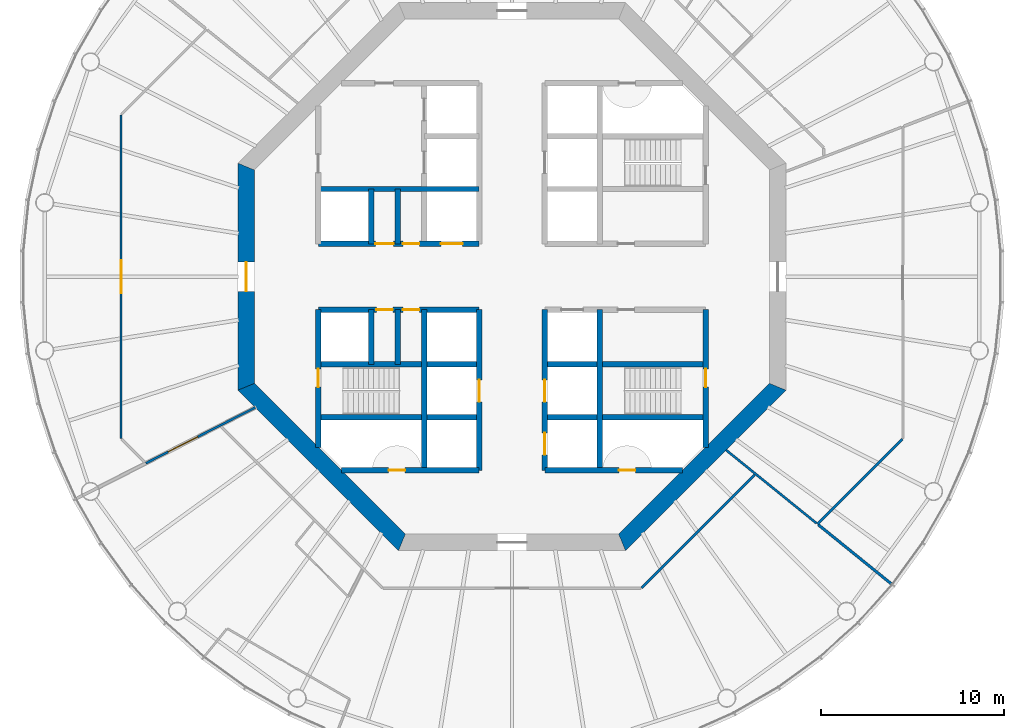
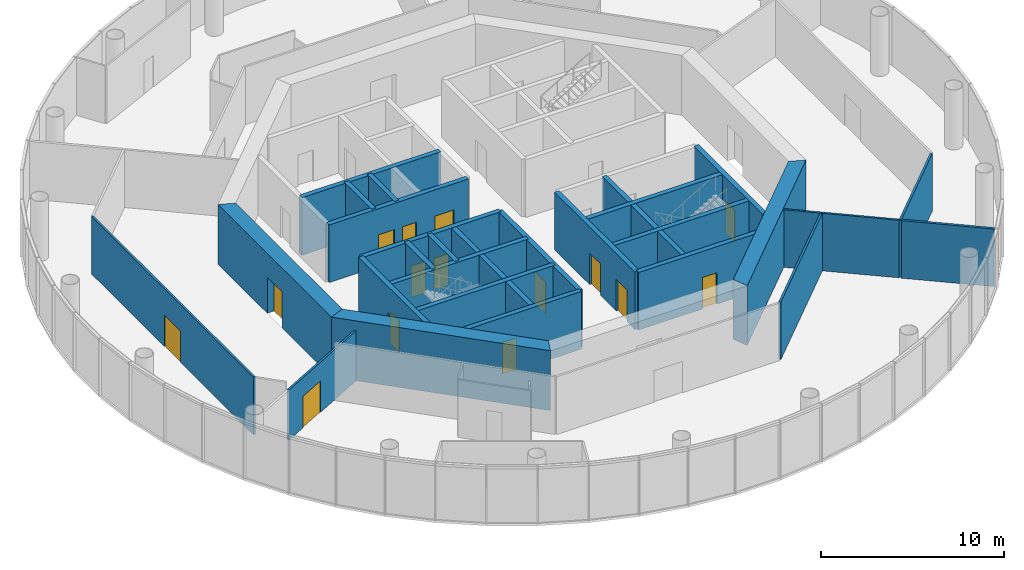
# One storey, part 3 of 12: 28 walls, 15 doors, 15 openings.
"""IFC4 building model written with IfcOpenShell, lengths in metres."""

from ifc_helpers import new_model, si_unit, direction, frame, frame_2d, origin, place, context, subcontext, project, spatial, polyline, rectangle, outline, extrude, material, layer, layer_set, type_object, element, fill, save


model = new_model("IFC4")

# Units and contexts
model_context = context("Model", 3, precision=1e-05, world=origin(), true_north=direction((0.0, 1.0)))
body_context = subcontext(model_context, "Body", "Model", "MODEL_VIEW")
ifc_project = project(units=[si_unit("LENGTHUNIT", "METRE"), si_unit("AREAUNIT", "SQUARE_METRE"), si_unit("VOLUMEUNIT", "CUBIC_METRE"), si_unit("PLANEANGLEUNIT", "RADIAN"), si_unit("MASSUNIT", "GRAM", prefix="KILO")], contexts=[model_context])

# Site, building, storey
site_placement = place(None, origin())
site = spatial("IfcSite", under=ifc_project, at=site_placement, CompositionType="ELEMENT")
building_placement = place(site_placement, origin())
building = spatial("IfcBuilding", under=site, at=building_placement, Name="Entoto Ring Tower", CompositionType="ELEMENT")
storey_placement = place(building_placement, frame((0.0, 0.0, 210.0)))
storey = spatial("IfcBuildingStorey", under=building, at=storey_placement, Name="L48", CompositionType="ELEMENT", Elevation=210.0)

# Wall, opening, door
ifc_material_1 = material(Name="Concrete C40/50", Category="concrete")
ifc_layer_1 = layer(ifc_material_1, 0.300048828125)
ifc_layer_set_1 = layer_set([ifc_layer_1], Name="Concrete C40/50")
wall_type_1 = type_object("IfcWallType", Name="Core enclosure wall 300 mm reinforced concrete", PredefinedType="SOLIDWALL", material=ifc_layer_set_1)
wall_1_placement = place(storey_placement, frame((100.60009765625, 70.65966796875, 0.0), z_axis=(0.0, 0.0, 1.0), x_axis=(0.0, 1.0, 0.0)))
wall_1 = element("IfcWall", 1, at=wall_1_placement, inside=storey, type_object=wall_type_1, Name="wall-L48-001", PredefinedType="SOLIDWALL", context=body_context, shape_type="SweptSolid", body=[
    extrude(rectangle(XDim=7.540283203125, YDim=0.300048828125, at=frame_2d((3.77001953125, 0.0))), origin(), (0.0, 0.0, 1.0), 3.85009765625),
])
opening_1_placement = place(wall_1_placement, frame((3.290283203125, 0.0, 0.0)))
opening_1 = element("IfcOpeningElement", 2, at=opening_1_placement, cuts=wall_1, Name="Opening K-61", PredefinedType="OPENING", context=body_context, shape_type="SweptSolid", body=[
    extrude(rectangle(XDim=1.0, YDim=2.10009765625, at=frame_2d((0.5, 1.050048828125))), frame((0.0, 0.16015625, 0.0), z_axis=(0.0, -1.0, 0.0), x_axis=(1.0, 0.0, 0.0)), (0.0, 0.0, 1.0), 0.320068359375),
])
ifc_material_2 = material(Name="Steel door leaf, fire rated", Category="steel")
ifc_layer_2 = layer(ifc_material_2, 0.050048828125)
ifc_layer_set_2 = layer_set([ifc_layer_2], Name="Steel door leaf, fire rated")
door_type_1 = type_object("IfcDoorType", Name="Fire door FD60 1000 x 2100 single leaf", OperationType="NOTDEFINED", PredefinedType="DOOR", material=ifc_layer_set_2)
door_1_placement = place(opening_1_placement, origin())
door_1 = element("IfcDoor", 3, at=door_1_placement, inside=storey, type_object=door_type_1, Name="Door K-61", OperationType="SINGLE_SWING_RIGHT", OverallHeight=2.10009765625, OverallWidth=1.0, PredefinedType="DOOR", context=body_context, shape_type="SweptSolid", body=[
    extrude(rectangle(XDim=1.0, YDim=2.10009765625, at=frame_2d((0.5, 1.050048828125))), frame((0.0, 0.02490234375, 0.0), z_axis=(0.0, -1.0, 0.0), x_axis=(1.0, 0.0, 0.0)), (0.0, 0.0, 1.0), 0.050048828125),
])
fill(opening_1, door_1)

# Wall
wall_2_placement = place(storey_placement, frame((94.800048828125, 69.39990234375, 0.0), z_axis=(0.0, 0.0, 1.0), x_axis=(0.0, 1.0, 0.0)))
element("IfcWall", 4, at=wall_2_placement, inside=storey, type_object=wall_type_1, Name="wall-L48-003", PredefinedType="SOLIDWALL", context=body_context, shape_type="SweptSolid", body=[
    extrude(rectangle(XDim=8.800048828125, YDim=0.300048828125, at=frame_2d((4.39990234375, 0.0))), origin(), (0.0, 0.0, 1.0), 3.85009765625),
])

# Wall, openings, doors
wall_3_placement = place(storey_placement, frame((91.800048828125, 69.39990234375, 0.0), z_axis=(0.0, 0.0, 1.0), x_axis=(0.0, 1.0, 0.0)))
wall_3 = element("IfcWall", 5, at=wall_3_placement, inside=storey, type_object=wall_type_1, Name="wall-L48-005", PredefinedType="SOLIDWALL", context=body_context, shape_type="SweptSolid", body=[
    extrude(rectangle(XDim=8.800048828125, YDim=0.300048828125, at=frame_2d((4.39990234375, 0.0))), origin(), (0.0, 0.0, 1.0), 3.85009765625),
])
opening_2_placement = place(wall_3_placement, frame((3.75, 0.0, 0.0)))
opening_2 = element("IfcOpeningElement", 6, at=opening_2_placement, cuts=wall_3, Name="Opening LD", PredefinedType="OPENING", context=body_context, shape_type="SweptSolid", body=[
    extrude(rectangle(XDim=1.199951171875, YDim=2.10009765625, at=frame_2d((0.60009765625, 1.050048828125))), frame((0.0, 0.16015625, 0.0), z_axis=(0.0, -1.0, 0.0), x_axis=(1.0, 0.0, 0.0)), (0.0, 0.0, 1.0), 0.320068359375),
])
opening_3_placement = place(wall_3_placement, frame((0.85009765625, 0.0, 0.0)))
opening_3 = element("IfcOpeningElement", 7, at=opening_3_placement, cuts=wall_3, Name="Opening LD", PredefinedType="OPENING", context=body_context, shape_type="SweptSolid", body=[
    extrude(rectangle(XDim=1.199951171875, YDim=2.10009765625, at=frame_2d((0.60009765625, 1.050048828125))), frame((0.0, 0.16015625, 0.0), z_axis=(0.0, -1.0, 0.0), x_axis=(1.0, 0.0, 0.0)), (0.0, 0.0, 1.0), 0.320068359375),
])
ifc_material_3 = material(Name="Steel and glass door leaf", Category="steel")
ifc_layer_3 = layer(ifc_material_3, 0.050048828125)
ifc_layer_set_3 = layer_set([ifc_layer_3], Name="Steel and glass door leaf")
door_type_2 = type_object("IfcDoorType", Name="Landing door 1200 x 2100 sliding", OperationType="DOUBLE_DOOR_SLIDING", PredefinedType="DOOR", material=ifc_layer_set_3)
door_2_placement = place(opening_2_placement, origin())
door_2 = element("IfcDoor", 8, at=door_2_placement, inside=storey, type_object=door_type_2, Name="Landing door LB2-MR", OperationType="SLIDING_TO_RIGHT", OverallHeight=2.10009765625, OverallWidth=1.199951171875, PredefinedType="DOOR", context=body_context, shape_type="SweptSolid", body=[
    extrude(rectangle(XDim=1.199951171875, YDim=2.10009765625, at=frame_2d((0.60009765625, 1.050048828125))), frame((0.0, 0.02490234375, 0.0), z_axis=(0.0, -1.0, 0.0), x_axis=(1.0, 0.0, 0.0)), (0.0, 0.0, 1.0), 0.050048828125),
])
fill(opening_2, door_2)
door_3_placement = place(opening_3_placement, origin())
door_3 = element("IfcDoor", 9, at=door_3_placement, inside=storey, type_object=door_type_2, Name="Landing door LB3-MR", OperationType="SLIDING_TO_RIGHT", OverallHeight=2.10009765625, OverallWidth=1.199951171875, PredefinedType="DOOR", context=body_context, shape_type="SweptSolid", body=[
    extrude(rectangle(XDim=1.199951171875, YDim=2.10009765625, at=frame_2d((0.60009765625, 1.050048828125))), frame((0.0, 0.02490234375, 0.0), z_axis=(0.0, -1.0, 0.0), x_axis=(1.0, 0.0, 0.0)), (0.0, 0.0, 1.0), 0.050048828125),
])
fill(opening_3, door_3)

# Wall, opening, door
wall_4_placement = place(storey_placement, frame((88.199951171875, 69.39990234375, 0.0), z_axis=(0.0, 0.0, 1.0), x_axis=(0.0, 1.0, 0.0)))
wall_4 = element("IfcWall", 10, at=wall_4_placement, inside=storey, type_object=wall_type_1, Name="wall-L48-007", PredefinedType="SOLIDWALL", context=body_context, shape_type="SweptSolid", body=[
    extrude(rectangle(XDim=8.800048828125, YDim=0.300048828125, at=frame_2d((4.39990234375, 0.0))), origin(), (0.0, 0.0, 1.0), 3.85009765625),
])
opening_4_placement = place(wall_4_placement, frame((3.75, 0.0, 0.0)))
opening_4 = element("IfcOpeningElement", 11, at=opening_4_placement, cuts=wall_4, Name="Opening LD", PredefinedType="OPENING", context=body_context, shape_type="SweptSolid", body=[
    extrude(rectangle(XDim=1.199951171875, YDim=2.10009765625, at=frame_2d((0.60009765625, 1.050048828125))), frame((0.0, 0.16015625, 0.0), z_axis=(0.0, -1.0, 0.0), x_axis=(1.0, 0.0, 0.0)), (0.0, 0.0, 1.0), 0.320068359375),
])
door_4_placement = place(opening_4_placement, origin())
door_4 = element("IfcDoor", 12, at=door_4_placement, inside=storey, type_object=door_type_2, Name="Landing door LB4-MR", OperationType="SLIDING_TO_RIGHT", OverallHeight=2.10009765625, OverallWidth=1.199951171875, PredefinedType="DOOR", context=body_context, shape_type="SweptSolid", body=[
    extrude(rectangle(XDim=1.199951171875, YDim=2.10009765625, at=frame_2d((0.60009765625, 1.050048828125))), frame((0.0, 0.02490234375, 0.0), z_axis=(0.0, -1.0, 0.0), x_axis=(1.0, 0.0, 0.0)), (0.0, 0.0, 1.0), 0.050048828125),
])
fill(opening_4, door_4)

# Walls
wall_5_placement = place(storey_placement, frame((85.199951171875, 69.39990234375, 0.0), z_axis=(0.0, 0.0, 1.0), x_axis=(0.0, 1.0, 0.0)))
element("IfcWall", 13, at=wall_5_placement, inside=storey, type_object=wall_type_1, Name="wall-L48-009", PredefinedType="SOLIDWALL", context=body_context, shape_type="SweptSolid", body=[
    extrude(rectangle(XDim=8.800048828125, YDim=0.300048828125, at=frame_2d((4.39990234375, 0.0))), origin(), (0.0, 0.0, 1.0), 3.85009765625),
])
for number, where, z_axis, x_axis, name in (
    (14, (83.75, 75.199951171875, 0.0), (0.0, 0.0, 1.0), (0.0, 1.0, 0.0), "wall-L48-011"),
    (15, (83.75, 81.800048828125, 0.0), (0.0, 0.0, 1.0), (0.0, 1.0, 0.0), "wall-L48-012"),
    (16, (82.300048828125, 75.199951171875, 0.0), (0.0, 0.0, 1.0), (0.0, 1.0, 0.0), "wall-L48-013"),
    (17, (82.300048828125, 81.800048828125, 0.0), (0.0, 0.0, 1.0), (0.0, 1.0, 0.0), "wall-L48-014"),
):
    element("IfcWall", number, at=place(storey_placement, frame(where, z_axis=z_axis, x_axis=x_axis)), inside=storey, type_object=wall_type_1, Name=name, PredefinedType="SOLIDWALL", context=body_context, shape_type="SweptSolid", body=[
        extrude(rectangle(XDim=3.0, YDim=0.300048828125, at=frame_2d((1.5, 0.0))), origin(), (0.0, 0.0, 1.0), 3.85009765625),
    ])

# Wall, opening, door
wall_6_placement = place(storey_placement, frame((79.39990234375, 70.65966796875, 0.0), z_axis=(0.0, 0.0, 1.0), x_axis=(0.0, 1.0, 0.0)))
wall_6 = element("IfcWall", 18, at=wall_6_placement, inside=storey, type_object=wall_type_1, Name="wall-L48-015", PredefinedType="SOLIDWALL", context=body_context, shape_type="SweptSolid", body=[
    extrude(rectangle(XDim=7.540283203125, YDim=0.300048828125, at=frame_2d((3.77001953125, 0.0))), origin(), (0.0, 0.0, 1.0), 3.85009765625),
])
opening_5_placement = place(wall_6_placement, frame((3.290283203125, 0.0, 0.0)))
opening_5 = element("IfcOpeningElement", 19, at=opening_5_placement, cuts=wall_6, Name="Opening K-59", PredefinedType="OPENING", context=body_context, shape_type="SweptSolid", body=[
    extrude(rectangle(XDim=1.0, YDim=2.10009765625, at=frame_2d((0.5, 1.050048828125))), frame((0.0, 0.16015625, 0.0), z_axis=(0.0, -1.0, 0.0), x_axis=(1.0, 0.0, 0.0)), (0.0, 0.0, 1.0), 0.320068359375),
])
door_5_placement = place(opening_5_placement, frame((1.0, 0.0, 0.0), z_axis=(0.0, 0.0, 1.0), x_axis=(-1.0, 0.0, 0.0)))
door_5 = element("IfcDoor", 20, at=door_5_placement, inside=storey, type_object=door_type_1, Name="Door K-59", OperationType="SINGLE_SWING_LEFT", OverallHeight=2.10009765625, OverallWidth=1.0, PredefinedType="DOOR", context=body_context, shape_type="SweptSolid", body=[
    extrude(rectangle(XDim=1.0, YDim=2.10009765625, at=frame_2d((0.5, 1.050048828125))), frame((0.0, 0.02490234375, 0.0), z_axis=(0.0, -1.0, 0.0), x_axis=(1.0, 0.0, 0.0)), (0.0, 0.0, 1.0), 0.050048828125),
])
fill(opening_5, door_5)

wall_7_placement = place(storey_placement, frame((80.65966796875, 69.39990234375, 0.0), z_axis=(0.0, 0.0, 1.0), x_axis=(1.0, 0.0, 0.0)))
wall_7 = element("IfcWall", 21, at=wall_7_placement, inside=storey, type_object=wall_type_1, Name="wall-L48-017", PredefinedType="SOLIDWALL", context=body_context, shape_type="SweptSolid", body=[
    extrude(rectangle(XDim=7.540283203125, YDim=0.300048828125, at=frame_2d((3.77001953125, 0.0))), origin(), (0.0, 0.0, 1.0), 3.85009765625),
])
opening_6_placement = place(wall_7_placement, frame((2.59033203125, 0.0, 0.0)))
opening_6 = element("IfcOpeningElement", 22, at=opening_6_placement, cuts=wall_7, Name="Opening K-66", PredefinedType="OPENING", context=body_context, shape_type="SweptSolid", body=[
    extrude(rectangle(XDim=0.89990234375, YDim=2.10009765625, at=frame_2d((0.449951171875, 1.050048828125))), frame((0.0, 0.16015625, 0.0), z_axis=(0.0, -1.0, 0.0), x_axis=(1.0, 0.0, 0.0)), (0.0, 0.0, 1.0), 0.320068359375),
])
ifc_material_4 = material(Name="Steel door leaf, fire rated", Category="steel")
ifc_layer_4 = layer(ifc_material_4, 0.050048828125)
ifc_layer_set_4 = layer_set([ifc_layer_4], Name="Steel door leaf, fire rated")
door_type_3 = type_object("IfcDoorType", Name="Riser door FD60 900 x 2100 single leaf", OperationType="NOTDEFINED", PredefinedType="DOOR", material=ifc_layer_set_4)
door_6_placement = place(opening_6_placement, origin())
door_6 = element("IfcDoor", 23, at=door_6_placement, inside=storey, type_object=door_type_3, Name="Door K-66", OperationType="SINGLE_SWING_RIGHT", OverallHeight=2.10009765625, OverallWidth=0.89990234375, PredefinedType="DOOR", context=body_context, shape_type="SweptSolid", body=[
    extrude(rectangle(XDim=0.89990234375, YDim=2.10009765625, at=frame_2d((0.449951171875, 1.050048828125))), frame((0.0, 0.02490234375, 0.0), z_axis=(0.0, -1.0, 0.0), x_axis=(1.0, 0.0, 0.0)), (0.0, 0.0, 1.0), 0.050048828125),
])
fill(opening_6, door_6)

wall_8_placement = place(storey_placement, frame((91.800048828125, 69.39990234375, 0.0), z_axis=(0.0, 0.0, 1.0), x_axis=(1.0, 0.0, 0.0)))
wall_8 = element("IfcWall", 24, at=wall_8_placement, inside=storey, type_object=wall_type_1, Name="wall-L48-018", PredefinedType="SOLIDWALL", context=body_context, shape_type="SweptSolid", body=[
    extrude(rectangle(XDim=7.540283203125, YDim=0.300048828125, at=frame_2d((3.77001953125, 0.0))), origin(), (0.0, 0.0, 1.0), 3.85009765625),
])
opening_7_placement = place(wall_8_placement, frame((4.050048828125, 0.0, 0.0)))
opening_7 = element("IfcOpeningElement", 25, at=opening_7_placement, cuts=wall_8, Name="Opening K-68", PredefinedType="OPENING", context=body_context, shape_type="SweptSolid", body=[
    extrude(rectangle(XDim=0.89990234375, YDim=2.10009765625, at=frame_2d((0.449951171875, 1.050048828125))), frame((0.0, 0.16015625, 0.0), z_axis=(0.0, -1.0, 0.0), x_axis=(1.0, 0.0, 0.0)), (0.0, 0.0, 1.0), 0.320068359375),
])
door_7_placement = place(opening_7_placement, origin())
door_7 = element("IfcDoor", 26, at=door_7_placement, inside=storey, type_object=door_type_3, Name="Door K-68", OperationType="SINGLE_SWING_LEFT", OverallHeight=2.10009765625, OverallWidth=0.89990234375, PredefinedType="DOOR", context=body_context, shape_type="SweptSolid", body=[
    extrude(rectangle(XDim=0.89990234375, YDim=2.10009765625, at=frame_2d((0.449951171875, 1.050048828125))), frame((0.0, 0.02490234375, 0.0), z_axis=(0.0, -1.0, 0.0), x_axis=(1.0, 0.0, 0.0)), (0.0, 0.0, 1.0), 0.050048828125),
])
fill(opening_7, door_7)

# Walls
for number, where, z_axis, x_axis, name in (
    (27, (79.39990234375, 72.300048828125, 0.0), (0.0, 0.0, 1.0), (1.0, 0.0, 0.0), "wall-L48-019"),
    (28, (91.800048828125, 72.300048828125, 0.0), (0.0, 0.0, 1.0), (1.0, 0.0, 0.0), "wall-L48-020"),
    (29, (79.39990234375, 75.199951171875, 0.0), (0.0, 0.0, 1.0), (1.0, 0.0, 0.0), "wall-L48-021"),
    (30, (91.800048828125, 75.199951171875, 0.0), (0.0, 0.0, 1.0), (1.0, 0.0, 0.0), "wall-L48-022"),
):
    element("IfcWall", number, at=place(storey_placement, frame(where, z_axis=z_axis, x_axis=x_axis)), inside=storey, type_object=wall_type_1, Name=name, PredefinedType="SOLIDWALL", context=body_context, shape_type="SweptSolid", body=[
        extrude(rectangle(XDim=8.800048828125, YDim=0.300048828125, at=frame_2d((4.39990234375, 0.0))), origin(), (0.0, 0.0, 1.0), 3.85009765625),
    ])

# Wall, openings, doors
wall_9_placement = place(storey_placement, frame((79.39990234375, 78.199951171875, 0.0), z_axis=(0.0, 0.0, 1.0), x_axis=(1.0, 0.0, 0.0)))
wall_9 = element("IfcWall", 31, at=wall_9_placement, inside=storey, type_object=wall_type_1, Name="wall-L48-023", PredefinedType="SOLIDWALL", context=body_context, shape_type="SweptSolid", body=[
    extrude(rectangle(XDim=8.800048828125, YDim=0.300048828125, at=frame_2d((4.39990234375, 0.0))), origin(), (0.0, 0.0, 1.0), 3.85009765625),
])
opening_8_placement = place(wall_9_placement, frame((3.175048828125, 0.0, 0.0)))
opening_8 = element("IfcOpeningElement", 32, at=opening_8_placement, cuts=wall_9, Name="Opening K-15", PredefinedType="OPENING", context=body_context, shape_type="SweptSolid", body=[
    extrude(rectangle(XDim=0.89990234375, YDim=2.10009765625, at=frame_2d((0.449951171875, 1.050048828125))), frame((0.0, 0.16015625, 0.0), z_axis=(0.0, -1.0, 0.0), x_axis=(1.0, 0.0, 0.0)), (0.0, 0.0, 1.0), 0.320068359375),
])
opening_9_placement = place(wall_9_placement, frame((4.625, 0.0, 0.0)))
opening_9 = element("IfcOpeningElement", 33, at=opening_9_placement, cuts=wall_9, Name="Opening K-16", PredefinedType="OPENING", context=body_context, shape_type="SweptSolid", body=[
    extrude(rectangle(XDim=0.89990234375, YDim=2.10009765625, at=frame_2d((0.449951171875, 1.050048828125))), frame((0.0, 0.16015625, 0.0), z_axis=(0.0, -1.0, 0.0), x_axis=(1.0, 0.0, 0.0)), (0.0, 0.0, 1.0), 0.320068359375),
])
ifc_material_5 = material(Name="Steel door leaf, fire rated", Category="steel")
ifc_layer_5 = layer(ifc_material_5, 0.050048828125)
ifc_layer_set_5 = layer_set([ifc_layer_5], Name="Steel door leaf, fire rated")
door_type_4 = type_object("IfcDoorType", Name="Core door 900 x 2100 single leaf", OperationType="NOTDEFINED", PredefinedType="DOOR", material=ifc_layer_set_5)
door_8_placement = place(opening_8_placement, frame((0.89990234375, 0.0, 0.0), z_axis=(0.0, 0.0, 1.0), x_axis=(-1.0, 0.0, 0.0)))
door_8 = element("IfcDoor", 34, at=door_8_placement, inside=storey, type_object=door_type_4, Name="Door K-15", OperationType="SINGLE_SWING_LEFT", OverallHeight=2.10009765625, OverallWidth=0.89990234375, PredefinedType="DOOR", context=body_context, shape_type="SweptSolid", body=[
    extrude(rectangle(XDim=0.89990234375, YDim=2.10009765625, at=frame_2d((0.449951171875, 1.050048828125))), frame((0.0, 0.02490234375, 0.0), z_axis=(0.0, -1.0, 0.0), x_axis=(1.0, 0.0, 0.0)), (0.0, 0.0, 1.0), 0.050048828125),
])
fill(opening_8, door_8)
door_9_placement = place(opening_9_placement, frame((0.89990234375, 0.0, 0.0), z_axis=(0.0, 0.0, 1.0), x_axis=(-1.0, 0.0, 0.0)))
door_9 = element("IfcDoor", 35, at=door_9_placement, inside=storey, type_object=door_type_4, Name="Door K-16", OperationType="SINGLE_SWING_LEFT", OverallHeight=2.10009765625, OverallWidth=0.89990234375, PredefinedType="DOOR", context=body_context, shape_type="SweptSolid", body=[
    extrude(rectangle(XDim=0.89990234375, YDim=2.10009765625, at=frame_2d((0.449951171875, 1.050048828125))), frame((0.0, 0.02490234375, 0.0), z_axis=(0.0, -1.0, 0.0), x_axis=(1.0, 0.0, 0.0)), (0.0, 0.0, 1.0), 0.050048828125),
])
fill(opening_9, door_9)

wall_10_placement = place(storey_placement, frame((79.39990234375, 81.800048828125, 0.0), z_axis=(0.0, 0.0, 1.0), x_axis=(1.0, 0.0, 0.0)))
wall_10 = element("IfcWall", 36, at=wall_10_placement, inside=storey, type_object=wall_type_1, Name="wall-L48-025", PredefinedType="SOLIDWALL", context=body_context, shape_type="SweptSolid", body=[
    extrude(rectangle(XDim=8.800048828125, YDim=0.300048828125, at=frame_2d((4.39990234375, 0.0))), origin(), (0.0, 0.0, 1.0), 3.85009765625),
])
opening_10_placement = place(wall_10_placement, frame((6.699951171875, 0.0, 0.0)))
opening_10 = element("IfcOpeningElement", 37, at=opening_10_placement, cuts=wall_10, Name="Opening LD", PredefinedType="OPENING", context=body_context, shape_type="SweptSolid", body=[
    extrude(rectangle(XDim=1.199951171875, YDim=2.10009765625, at=frame_2d((0.60009765625, 1.050048828125))), frame((0.0, 0.16015625, 0.0), z_axis=(0.0, -1.0, 0.0), x_axis=(1.0, 0.0, 0.0)), (0.0, 0.0, 1.0), 0.320068359375),
])
opening_11_placement = place(wall_10_placement, frame((3.125, 0.0, 0.0)))
opening_11 = element("IfcOpeningElement", 38, at=opening_11_placement, cuts=wall_10, Name="Opening K-13", PredefinedType="OPENING", context=body_context, shape_type="SweptSolid", body=[
    extrude(rectangle(XDim=1.0, YDim=2.10009765625, at=frame_2d((0.5, 1.050048828125))), frame((0.0, 0.16015625, 0.0), z_axis=(0.0, -1.0, 0.0), x_axis=(1.0, 0.0, 0.0)), (0.0, 0.0, 1.0), 0.320068359375),
])
opening_12_placement = place(wall_10_placement, frame((4.625, 0.0, 0.0)))
opening_12 = element("IfcOpeningElement", 39, at=opening_12_placement, cuts=wall_10, Name="Opening K-14", PredefinedType="OPENING", context=body_context, shape_type="SweptSolid", body=[
    extrude(rectangle(XDim=0.89990234375, YDim=2.10009765625, at=frame_2d((0.449951171875, 1.050048828125))), frame((0.0, 0.16015625, 0.0), z_axis=(0.0, -1.0, 0.0), x_axis=(1.0, 0.0, 0.0)), (0.0, 0.0, 1.0), 0.320068359375),
])
ifc_material_6 = material(Name="Steel door leaf, fire rated", Category="steel")
ifc_layer_6 = layer(ifc_material_6, 0.050048828125)
ifc_layer_set_6 = layer_set([ifc_layer_6], Name="Steel door leaf, fire rated")
door_type_5 = type_object("IfcDoorType", Name="Accessible door 1000 x 2100 single leaf", OperationType="NOTDEFINED", PredefinedType="DOOR", material=ifc_layer_set_6)
door_10_placement = place(opening_11_placement, origin())
door_10 = element("IfcDoor", 40, at=door_10_placement, inside=storey, type_object=door_type_5, Name="Door K-13", OperationType="SINGLE_SWING_RIGHT", OverallHeight=2.10009765625, OverallWidth=1.0, PredefinedType="DOOR", context=body_context, shape_type="SweptSolid", body=[
    extrude(rectangle(XDim=1.0, YDim=2.10009765625, at=frame_2d((0.5, 1.050048828125))), frame((0.0, 0.02490234375, 0.0), z_axis=(0.0, -1.0, 0.0), x_axis=(1.0, 0.0, 0.0)), (0.0, 0.0, 1.0), 0.050048828125),
])
fill(opening_11, door_10)
door_11_placement = place(opening_12_placement, origin())
door_11 = element("IfcDoor", 41, at=door_11_placement, inside=storey, type_object=door_type_4, Name="Door K-14", OperationType="SINGLE_SWING_RIGHT", OverallHeight=2.10009765625, OverallWidth=0.89990234375, PredefinedType="DOOR", context=body_context, shape_type="SweptSolid", body=[
    extrude(rectangle(XDim=0.89990234375, YDim=2.10009765625, at=frame_2d((0.449951171875, 1.050048828125))), frame((0.0, 0.02490234375, 0.0), z_axis=(0.0, -1.0, 0.0), x_axis=(1.0, 0.0, 0.0)), (0.0, 0.0, 1.0), 0.050048828125),
])
fill(opening_12, door_11)
door_12_placement = place(opening_10_placement, origin())
door_12 = element("IfcDoor", 42, at=door_12_placement, inside=storey, type_object=door_type_2, Name="Landing door LB5-MR", OperationType="SLIDING_TO_LEFT", OverallHeight=2.10009765625, OverallWidth=1.199951171875, PredefinedType="DOOR", context=body_context, shape_type="SweptSolid", body=[
    extrude(rectangle(XDim=1.199951171875, YDim=2.10009765625, at=frame_2d((0.60009765625, 1.050048828125))), frame((0.0, 0.02490234375, 0.0), z_axis=(0.0, -1.0, 0.0), x_axis=(1.0, 0.0, 0.0)), (0.0, 0.0, 1.0), 0.050048828125),
])
fill(opening_10, door_12)

# Wall
wall_11_placement = place(storey_placement, frame((79.39990234375, 84.800048828125, 0.0), z_axis=(0.0, 0.0, 1.0), x_axis=(1.0, 0.0, 0.0)))
element("IfcWall", 43, at=wall_11_placement, inside=storey, type_object=wall_type_1, Name="wall-L48-027", PredefinedType="SOLIDWALL", context=body_context, shape_type="SweptSolid", body=[
    extrude(rectangle(XDim=8.800048828125, YDim=0.300048828125, at=frame_2d((4.39990234375, 0.0))), origin(), (0.0, 0.0, 1.0), 3.85009765625),
])

# Wall, opening, door
ifc_material_7 = material(Name="Concrete C50/60", Category="concrete")
ifc_layer_7 = layer(ifc_material_7, 0.89990234375)
ifc_layer_set_7 = layer_set([ifc_layer_7], Name="Concrete C50/60")
wall_type_2 = type_object("IfcWallType", Name="Core shear wall 900 mm reinforced concrete C50/60", PredefinedType="SHEAR", material=ifc_layer_set_7)
wall_12_placement = place(storey_placement, frame((75.449951171875, 86.02685546875, 0.0), z_axis=(0.0, 0.0, 1.0), x_axis=(0.0, -1.0, 0.0)))
wall_12 = element("IfcWall", 44, at=wall_12_placement, inside=storey, type_object=wall_type_2, Name="wall-L48-core-4", PredefinedType="SHEAR", context=body_context, shape_type="SweptSolid", body=[
    extrude(outline(polyline([(-0.186279296875, -0.449951171875), (12.239990234375, -0.449951171875), (11.867431640625, 0.449951171875), (0.186279296875, 0.449951171875), (-0.186279296875, -0.449951171875)])), origin(), (0.0, 0.0, 1.0), 4.0),
])
opening_13_placement = place(wall_12_placement, frame((5.226806640625, 0.0, 0.0)))
opening_13 = element("IfcOpeningElement", 45, at=opening_13_placement, cuts=wall_12, Name="Opening K-03", PredefinedType="OPENING", context=body_context, shape_type="SweptSolid", body=[
    extrude(rectangle(XDim=1.60009765625, YDim=2.39990234375, at=frame_2d((0.800048828125, 1.199951171875))), frame((0.0, 0.4599609375, 0.0), z_axis=(0.0, -1.0, 0.0), x_axis=(1.0, 0.0, 0.0)), (0.0, 0.0, 1.0), 0.919921875),
])
ifc_material_8 = material(Name="Steel door leaf, fire rated", Category="steel")
ifc_layer_8 = layer(ifc_material_8, 0.050048828125)
ifc_layer_set_8 = layer_set([ifc_layer_8], Name="Steel door leaf, fire rated")
door_type_6 = type_object("IfcDoorType", Name="Entrance door FD60 1600 x 2400 double leaf", OperationType="DOUBLE_DOOR_SINGLE_SWING", PredefinedType="DOOR", material=ifc_layer_set_8)
door_13_placement = place(opening_13_placement, origin())
door_13 = element("IfcDoor", 46, at=door_13_placement, inside=storey, type_object=door_type_6, Name="Entrance door K-03", OperationType="DOUBLE_DOOR_SINGLE_SWING", OverallHeight=2.39990234375, OverallWidth=1.60009765625, PredefinedType="DOOR", context=body_context, shape_type="SweptSolid", body=[
    extrude(rectangle(XDim=1.60009765625, YDim=2.39990234375, at=frame_2d((0.800048828125, 1.199951171875))), frame((0.0, 0.02490234375, 0.0), z_axis=(0.0, -1.0, 0.0), x_axis=(1.0, 0.0, 0.0)), (0.0, 0.0, 1.0), 0.050048828125),
])
fill(opening_13, door_13)

# Walls
for number, where, z_axis, x_axis, name in (
    (47, (75.449951171875, 73.97314453125, 0.0), (0.0, 0.0, 1.0), (0.707106781187, -0.707106781187, 0.0), "wall-L48-core-5"),
    (48, (96.02685546875, 65.449951171875, 0.0), (0.0, 0.0, 1.0), (0.707106781187, 0.707106781187, 0.0), "wall-L48-core-7"),
):
    element("IfcWall", number, at=place(storey_placement, frame(where, z_axis=z_axis, x_axis=x_axis)), inside=storey, type_object=wall_type_2, Name=name, PredefinedType="SHEAR", context=body_context, shape_type="SweptSolid", body=[
        extrude(outline(polyline([(-0.186279296875, -0.449951171875), (12.239990234375, -0.449951171875), (11.867431640625, 0.449951171875), (0.186279296875, 0.449951171875), (-0.186279296875, -0.449951171875)])), origin(), (0.0, 0.0, 1.0), 4.0),
    ])

# Wall, opening, door
ifc_material_9 = material(Name="Fire-resisting plasterboard on steel studs", Category="steel")
ifc_layer_9 = layer(ifc_material_9, 0.125)
ifc_layer_set_9 = layer_set([ifc_layer_9], Name="Fire-resisting plasterboard on steel studs")
wall_type_3 = type_object("IfcWallType", Name="Corridor wall 125 mm one-hour plasterboard on steel studs", PredefinedType="PARTITIONING", material=ifc_layer_set_9)
wall_13_placement = place(storey_placement, frame((68.60009765625, 71.1357421875, 0.0), z_axis=(0.0, 0.0, 1.0), x_axis=(0.0, 1.0, 0.0)))
wall_13 = element("IfcWall", 49, at=wall_13_placement, inside=storey, type_object=wall_type_3, Name="partition-L48-001", PredefinedType="PARTITIONING", context=body_context, shape_type="SweptSolid", body=[
    extrude(rectangle(XDim=17.728515625, YDim=0.125, at=frame_2d((8.8642578125, 0.0))), origin(), (0.0, 0.0, 1.0), 3.85009765625),
])
opening_14_placement = place(wall_13_placement, frame((7.964111328125, 0.0, 0.0)))
opening_14 = element("IfcOpeningElement", 50, at=opening_14_placement, cuts=wall_13, Name="Opening A21-D02", PredefinedType="OPENING", context=body_context, shape_type="SweptSolid", body=[
    extrude(rectangle(XDim=1.800048828125, YDim=2.10009765625, at=frame_2d((0.89990234375, 1.050048828125))), frame((0.0, 0.072509765625, 0.0), z_axis=(0.0, -1.0, 0.0), x_axis=(1.0, 0.0, 0.0)), (0.0, 0.0, 1.0), 0.14501953125),
])
ifc_material_10 = material(Name="Fire-resisting timber door set", Category="wood")
door_type_7 = type_object("IfcDoorType", Name="Door 1800 x 2100 double leaf FD30S fire door", OperationType="DOUBLE_DOOR_SINGLE_SWING", PredefinedType="DOOR", material=ifc_material_10)
door_14_placement = place(opening_14_placement, origin())
door_14 = element("IfcDoor", 51, at=door_14_placement, inside=storey, type_object=door_type_7, Name="Door A21-D02", OperationType="DOUBLE_DOOR_SINGLE_SWING", OverallHeight=2.10009765625, OverallWidth=1.800048828125, PredefinedType="DOOR", context=body_context, shape_type="SweptSolid", body=[
    extrude(rectangle(XDim=1.800048828125, YDim=2.10009765625, at=frame_2d((0.89990234375, 1.050048828125))), frame((0.0, 0.02490234375, 0.0), z_axis=(0.0, -1.0, 0.0), x_axis=(1.0, 0.0, 0.0)), (0.0, 0.0, 1.0), 0.050048828125),
])
fill(opening_14, door_14)

# Walls
wall_14_placement = place(storey_placement, frame((97.0986328125, 62.968505859375, 0.0), z_axis=(0.0, 0.0, 1.0), x_axis=(0.707092826187, 0.70712073591, 0.0)))
element("IfcWall", 52, at=wall_14_placement, inside=storey, type_object=wall_type_3, Name="partition-L48-008", PredefinedType="PARTITIONING", context=body_context, shape_type="SweptSolid", body=[
    extrude(rectangle(XDim=8.74755859375, YDim=0.125, at=frame_2d((4.373779296875, 0.0))), origin(), (0.0, 0.0, 1.0), 3.85009765625),
])
wall_15_placement = place(storey_placement, frame((106.722412109375, 66.45849609375, 0.0), z_axis=(0.0, 0.0, 1.0), x_axis=(0.707125358217, 0.707088203668, 0.0)))
element("IfcWall", 53, at=wall_15_placement, inside=storey, type_object=wall_type_3, Name="partition-L48-012", PredefinedType="PARTITIONING", context=body_context, shape_type="SweptSolid", body=[
    extrude(rectangle(XDim=6.571044921875, YDim=0.125, at=frame_2d((3.28564453125, 0.0))), origin(), (0.0, 0.0, 1.0), 3.85009765625),
])
wall_16_placement = place(storey_placement, frame((106.67431640625, 66.49755859375, 0.0), z_axis=(0.0, 0.0, 1.0), x_axis=(-0.777147622925, 0.629318339302, 0.0)))
element("IfcWall", 54, at=wall_16_placement, inside=storey, type_object=wall_type_3, Name="partition-L48-013", PredefinedType="PARTITIONING", context=body_context, shape_type="SweptSolid", body=[
    extrude(rectangle(XDim=6.373046875, YDim=0.125, at=frame_2d((3.1865234375, 0.0))), origin(), (0.0, 0.0, 1.0), 3.85009765625),
])

# Wall, opening, door
ifc_material_11 = material(Name="Fire-resisting plasterboard on steel studs", Category="steel")
ifc_layer_10 = layer(ifc_material_11, 0.125)
ifc_layer_set_10 = layer_set([ifc_layer_10], Name="Fire-resisting plasterboard on steel studs")
wall_type_4 = type_object("IfcWallType", Name="Corridor wall 125 mm one-hour plasterboard on steel studs, 3350 mm high", PredefinedType="PARTITIONING", material=ifc_layer_set_10)
wall_17_placement = place(storey_placement, frame((69.951171875, 69.78466796875, 0.0), z_axis=(0.0, 0.0, 1.0), x_axis=(0.891012915606, 0.453977955657, 0.0)))
wall_17 = element("IfcWall", 55, at=wall_17_placement, inside=storey, type_object=wall_type_4, Name="partition-L48-010", PredefinedType="PARTITIONING", context=body_context, shape_type="SweptSolid", body=[
    extrude(rectangle(XDim=6.729248046875, YDim=0.125, at=frame_2d((3.36474609375, 0.0))), origin(), (0.0, 0.0, 1.0), 3.35009765625),
])
opening_15_placement = place(wall_17_placement, frame((1.38037109375, 0.0, 0.0)))
opening_15 = element("IfcOpeningElement", 56, at=opening_15_placement, cuts=wall_17, Name="Opening A21-D10", PredefinedType="OPENING", context=body_context, shape_type="SweptSolid", body=[
    extrude(rectangle(XDim=1.800048828125, YDim=2.10009765625, at=frame_2d((0.89990234375, 1.050048828125))), frame((0.0, 0.072509765625, 0.0), z_axis=(0.0, -1.0, 0.0), x_axis=(1.0, 0.0, 0.0)), (0.0, 0.0, 1.0), 0.14501953125),
])
door_15_placement = place(opening_15_placement, frame((1.800048828125, 0.0, 0.0), z_axis=(0.0, 0.0, 1.0), x_axis=(-1.0, 0.0, 0.0)))
door_15 = element("IfcDoor", 57, at=door_15_placement, inside=storey, type_object=door_type_7, Name="Door A21-D10", OperationType="DOUBLE_DOOR_SINGLE_SWING", OverallHeight=2.10009765625, OverallWidth=1.800048828125, PredefinedType="DOOR", context=body_context, shape_type="SweptSolid", body=[
    extrude(rectangle(XDim=1.800048828125, YDim=2.10009765625, at=frame_2d((0.89990234375, 1.050048828125))), frame((0.0, 0.02490234375, 0.0), z_axis=(0.0, -1.0, 0.0), x_axis=(1.0, 0.0, 0.0)), (0.0, 0.0, 1.0), 0.050048828125),
])
fill(opening_15, door_15)

# Wall
ifc_material_12 = material(Name="Fire-resisting acoustic plasterboard on steel studs", Category="steel")
ifc_layer_11 = layer(ifc_material_12, 0.14990234375)
ifc_layer_set_11 = layer_set([ifc_layer_11], Name="Fire-resisting acoustic plasterboard on steel studs")
wall_type_5 = type_object("IfcWallType", Name="Party wall 150 mm one-hour acoustic plasterboard on steel studs", PredefinedType="PARTITIONING", material=ifc_layer_set_11)
wall_18_placement = place(storey_placement, frame((110.781005859375, 63.172119140625, 0.0), z_axis=(0.0, 0.0, 1.0), x_axis=(-0.777165398549, 0.629296387482, 0.0)))
element("IfcWall", 58, at=wall_18_placement, inside=storey, type_object=wall_type_5, Name="partition-L48-018", PredefinedType="PARTITIONING", context=body_context, shape_type="SweptSolid", body=[
    extrude(rectangle(XDim=5.1513671875, YDim=0.14990234375, at=frame_2d((2.57568359375, 0.0))), origin(), (0.0, 0.0, 1.0), 3.85009765625),
])

save(model, "model.ifc")
